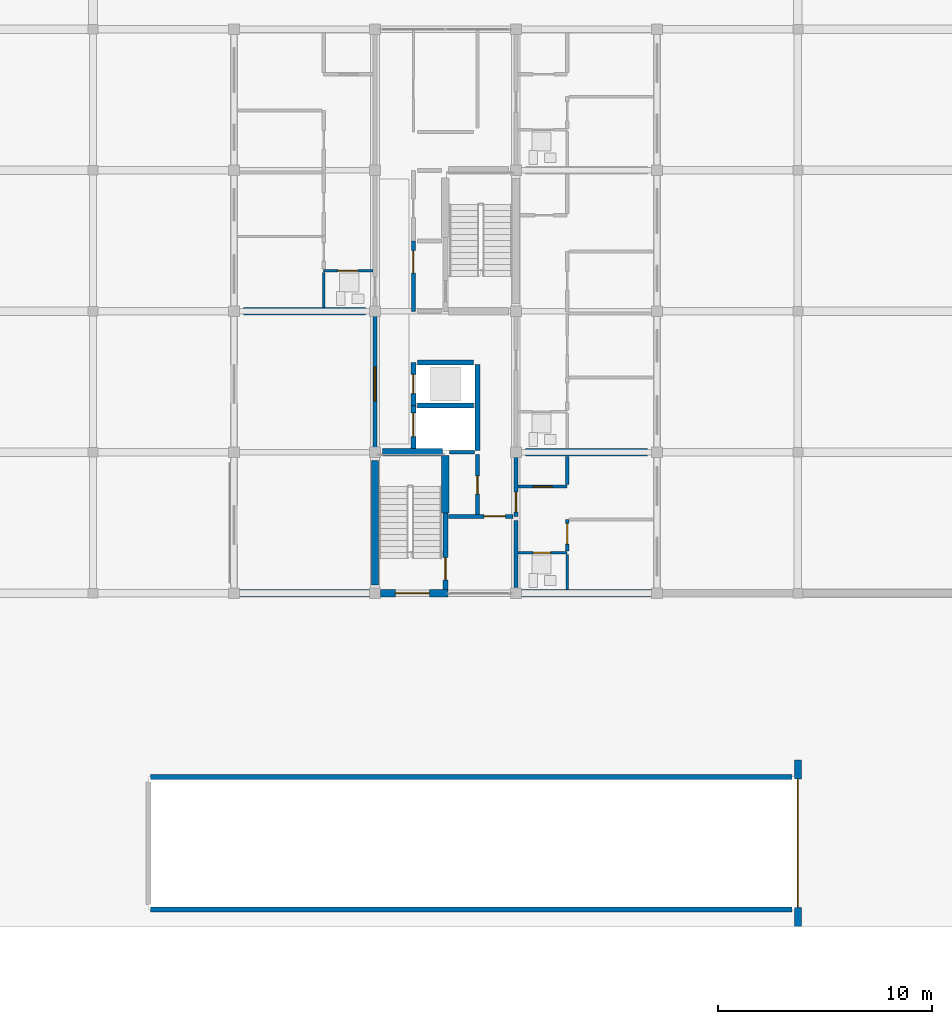
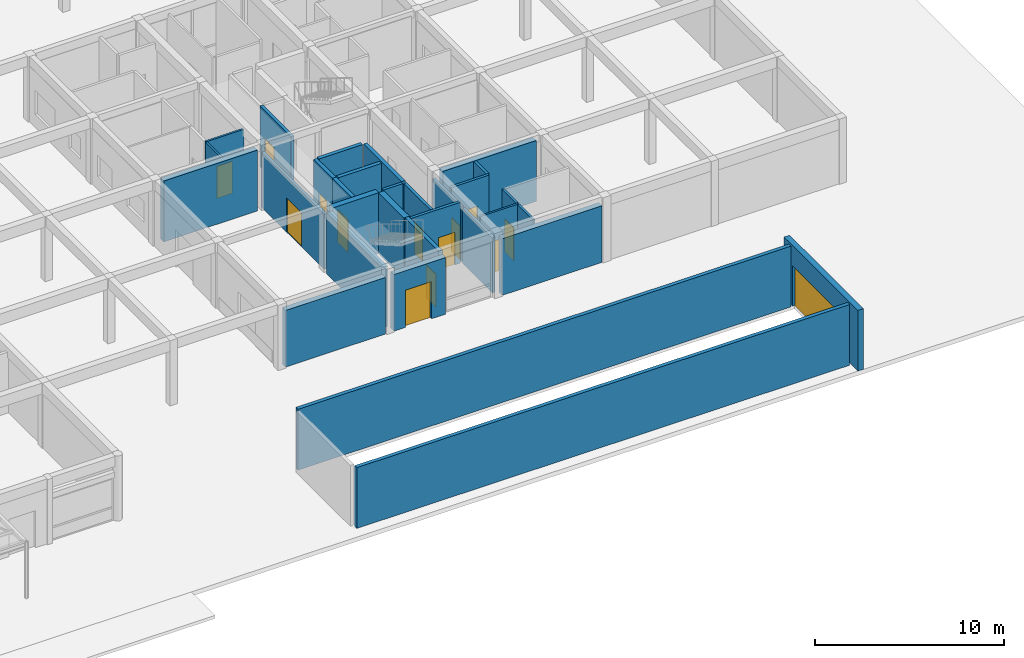
# One storey, part 58 of 75: 31 walls, 14 doors, 14 openings.
"""IFC4 building model written with IfcOpenShell, lengths in metres."""

from ifc_helpers import new_model, si_unit, direction, frame, frame_2d, origin, place, context, subcontext, project, spatial, rectangle, extrude, material, layer, layer_set, type_object, element, fill, save


model = new_model("IFC4")

# Units and contexts
model_context = context("Model", 3, precision=1e-05, world=origin(), true_north=direction((0.0, 1.0)))
body_context = subcontext(model_context, "Body", "Model", "MODEL_VIEW")
ifc_project = project(units=[si_unit("LENGTHUNIT", "METRE"), si_unit("AREAUNIT", "SQUARE_METRE"), si_unit("VOLUMEUNIT", "CUBIC_METRE"), si_unit("PLANEANGLEUNIT", "RADIAN"), si_unit("MASSUNIT", "GRAM", prefix="KILO")], contexts=[model_context])

# Site, building, storey
site_placement = place(None, origin())
site = spatial("IfcSite", under=ifc_project, at=site_placement, CompositionType="ELEMENT")
building_placement = place(site_placement, origin())
building = spatial("IfcBuilding", under=site, at=building_placement, Name="Kernevlak Ridge Housing Community", CompositionType="ELEMENT")
storey_placement = place(building_placement, origin())
storey = spatial("IfcBuildingStorey", under=building, at=storey_placement, Name="L00", CompositionType="ELEMENT", Elevation=0.0)

# Walls
ifc_material_1 = material(Name="Concrete block masonry M10", Category="masonry")
ifc_layer_1 = layer(ifc_material_1, 0.340087890625, Name="Concrete block masonry M10")
ifc_layer_set_1 = layer_set([ifc_layer_1], Name="Concrete block masonry M10")
wall_type_1 = type_object("IfcWallType", Name="EW-04", PredefinedType="STANDARD", material=ifc_layer_set_1)
for number, where, z_axis, x_axis, name in (
    (1, (126.25, 15.60009765625, 0.0), (0.0, 0.0, 1.0), (1.0, 0.0, 0.0), "Exterior wall EW-04 L00 542"),
    (2, (139.449951171875, 15.60009765625, 0.0), (0.0, 0.0, 1.0), (1.0, 0.0, 0.0), "Exterior wall EW-04 L00 543"),
):
    element("IfcWall", number, at=place(storey_placement, frame(where, z_axis=z_axis, x_axis=x_axis)), inside=storey, type_object=wall_type_1, Name=name, PredefinedType="STANDARD", context=body_context, shape_type="SweptSolid", body=[
        extrude(rectangle(XDim=6.10009765625, YDim=0.340087890625, at=frame_2d((3.050048828125, 0.0))), origin(), (0.0, 0.0, 1.0), 3.64990234375),
    ])

# Wall, opening, door
wall_1_placement = place(storey_placement, frame((152.39990234375, 0.0, 0.0), z_axis=(0.0, 0.0, 1.0), x_axis=(0.0, 1.0, 0.0)))
wall_1 = element("IfcWall", 3, at=wall_1_placement, inside=storey, type_object=wall_type_1, Name="Exterior wall EW-04 L00 911", PredefinedType="STANDARD", context=body_context, shape_type="SweptSolid", body=[
    extrude(rectangle(XDim=7.800048828125, YDim=0.340087890625, at=frame_2d((3.89990234375, 0.0))), origin(), (0.0, 0.0, 1.0), 3.919921875),
])
opening_1_placement = place(wall_1_placement, frame((0.89990234375, 0.0, 0.0)))
opening_1 = element("IfcOpeningElement", 4, at=opening_1_placement, cuts=wall_1, Name="Opening VG-1", PredefinedType="OPENING", context=body_context, shape_type="SweptSolid", body=[
    extrude(rectangle(XDim=6.0, YDim=2.60009765625, at=frame_2d((3.0, 1.300048828125))), frame((0.0, 0.179931640625, 0.0), z_axis=(0.0, -1.0, 0.0), x_axis=(1.0, 0.0, 0.0)), (0.0, 0.0, 1.0), 0.360107421875),
])
ifc_material_2 = material(Name="Galvanised sheet steel", Category="steel")
door_type_1 = type_object("IfcDoorType", Name="DT-VG1", OperationType="ROLLINGUP", PredefinedType="DOOR", material=ifc_material_2)
door_1_placement = place(opening_1_placement, origin())
door_1 = element("IfcDoor", 5, at=door_1_placement, inside=storey, type_object=door_type_1, Name="Car park vehicle shutter gate VG-1", OperationType="ROLLINGUP", OverallHeight=2.60009765625, OverallWidth=6.0, PredefinedType="DOOR", context=body_context, shape_type="SweptSolid", body=[
    extrude(rectangle(XDim=6.0, YDim=2.60009765625, at=frame_2d((3.0, 1.300048828125))), frame((0.0, 0.02490234375, 0.0), z_axis=(0.0, -1.0, 0.0), x_axis=(1.0, 0.0, 0.0)), (0.0, 0.0, 1.0), 0.050048828125),
])
fill(opening_1, door_1)

wall_2_placement = place(storey_placement, frame((136.010009765625, 15.60009765625, 0.0), z_axis=(0.0, 0.0, 1.0), x_axis=(-1.0, 0.0, 0.0)))
wall_2 = element("IfcWall", 6, at=wall_2_placement, inside=storey, type_object=wall_type_1, Name="Exterior wall EW-04 L00 931", PredefinedType="STANDARD", context=body_context, shape_type="SweptSolid", body=[
    extrude(rectangle(XDim=3.159912109375, YDim=0.340087890625, at=frame_2d((1.580078125, 0.0))), origin(), (0.0, 0.0, 1.0), 3.64990234375),
])
opening_2_placement = place(wall_2_placement, frame((0.860107421875, 0.0, 0.0)))
opening_2 = element("IfcOpeningElement", 7, at=opening_2_placement, cuts=wall_2, Name="Opening E830", PredefinedType="OPENING", context=body_context, shape_type="SweptSolid", body=[
    extrude(rectangle(XDim=1.60009765625, YDim=2.39990234375, at=frame_2d((0.800048828125, 1.199951171875))), frame((0.0, 0.179931640625, 0.0), z_axis=(0.0, -1.0, 0.0), x_axis=(1.0, 0.0, 0.0)), (0.0, 0.0, 1.0), 0.360107421875),
])
ifc_material_3 = material(Name="Aluminium EN AW-6060 and laminated safety glass", Category="aluminium")
door_type_2 = type_object("IfcDoorType", Name="DT-13", OperationType="DOUBLE_DOOR_SINGLE_SWING", PredefinedType="DOOR", material=ifc_material_3)
door_2_placement = place(opening_2_placement, origin())
door_2 = element("IfcDoor", 8, at=door_2_placement, inside=storey, type_object=door_type_2, Name="Block C Stair 1 exit discharge door E830", OperationType="DOUBLE_DOOR_SINGLE_SWING", OverallHeight=2.39990234375, OverallWidth=1.60009765625, PredefinedType="DOOR", context=body_context, shape_type="SweptSolid", body=[
    extrude(rectangle(XDim=1.60009765625, YDim=2.39990234375, at=frame_2d((0.800048828125, 1.199951171875))), frame((0.0, 0.02490234375, 0.0), z_axis=(0.0, -1.0, 0.0), x_axis=(1.0, 0.0, 0.0)), (0.0, 0.0, 1.0), 0.050048828125),
])
fill(opening_2, door_2)

ifc_material_4 = material(Name="Concrete C35/45", Category="concrete")
ifc_layer_2 = layer(ifc_material_4, 0.22509765625, Name="Concrete C35/45")
ifc_layer_set_2 = layer_set([ifc_layer_2], Name="Concrete C35/45")
wall_type_2 = type_object("IfcWallType", Name="PW-01", PredefinedType="STANDARD", material=ifc_layer_set_2)
wall_3_placement = place(storey_placement, frame((135.89990234375, 15.780029296875, 0.0), z_axis=(0.0, 0.0, 1.0), x_axis=(0.0, 1.0, 0.0)))
wall_3 = element("IfcWall", 9, at=wall_3_placement, inside=storey, type_object=wall_type_2, Name="Interior wall PW-01 WAL-INT-L00-2105", PredefinedType="STANDARD", context=body_context, shape_type="SweptSolid", body=[
    extrude(rectangle(XDim=3.570068359375, YDim=0.22509765625, at=frame_2d((1.78515625, 0.0))), origin(), (0.0, 0.0, 1.0), 3.919921875),
])
opening_3_placement = place(wall_3_placement, frame((0.449951171875, 0.0, 0.0)))
opening_3 = element("IfcOpeningElement", 10, at=opening_3_placement, cuts=wall_3, Name="Opening E067", PredefinedType="OPENING", context=body_context, shape_type="SweptSolid", body=[
    extrude(rectangle(XDim=1.0400390625, YDim=2.1201171875, at=frame_2d((0.52001953125, 1.06005859375))), frame((0.0, 0.12255859375, 0.0), z_axis=(0.0, -1.0, 0.0), x_axis=(1.0, 0.0, 0.0)), (0.0, 0.0, 1.0), 0.2451171875),
])
ifc_material_5 = material(Name="Fire-rated sheet steel leaf", Category="steel")
door_type_3 = type_object("IfcDoorType", Name="DT-16", OperationType="NOTDEFINED", PredefinedType="DOOR", material=ifc_material_5)
door_3_placement = place(opening_3_placement, origin())
door_3 = element("IfcDoor", 11, at=door_3_placement, inside=storey, type_object=door_type_3, Name="Block C Stair 1 fire door E067", OperationType="SINGLE_SWING_RIGHT", OverallHeight=2.1201171875, OverallWidth=1.0400390625, PredefinedType="DOOR", context=body_context, shape_type="SweptSolid", body=[
    extrude(rectangle(XDim=1.0400390625, YDim=2.1201171875, at=frame_2d((0.52001953125, 1.06005859375))), frame((0.0, 0.02490234375, 0.0), z_axis=(0.0, -1.0, 0.0), x_axis=(1.0, 0.0, 0.0)), (0.0, 0.0, 1.0), 0.050048828125),
])
fill(opening_3, door_3)

wall_4_placement = place(storey_placement, frame((134.39990234375, 22.385009765625, 0.0), z_axis=(0.0, 0.0, 1.0), x_axis=(0.0, 1.0, 0.0)))
wall_4 = element("IfcWall", 12, at=wall_4_placement, inside=storey, type_object=wall_type_2, Name="Interior wall PW-01 WAL-INT-L00-2109", PredefinedType="STANDARD", context=body_context, shape_type="SweptSolid", body=[
    extrude(rectangle(XDim=2.014892578125, YDim=0.22509765625, at=frame_2d((1.00732421875, 0.0))), origin(), (0.0, 0.0, 1.0), 3.919921875),
])
opening_4_placement = place(wall_4_placement, frame((0.550048828125, 0.0, 0.0)))
opening_4 = element("IfcOpeningElement", 13, at=opening_4_placement, cuts=wall_4, Name="Opening LD55", PredefinedType="OPENING", context=body_context, shape_type="SweptSolid", body=[
    extrude(rectangle(XDim=1.10009765625, YDim=2.10009765625, at=frame_2d((0.550048828125, 1.050048828125))), frame((0.0, 0.12255859375, 0.0), z_axis=(0.0, -1.0, 0.0), x_axis=(1.0, 0.0, 0.0)), (0.0, 0.0, 1.0), 0.2451171875),
])
ifc_material_6 = material(Name="Stainless steel EN 1.4401", Category="steel")
door_type_4 = type_object("IfcDoorType", Name="DT-LD1", OperationType="DOUBLE_DOOR_SLIDING", PredefinedType="DOOR", material=ifc_material_6)
door_4_placement = place(opening_4_placement, origin())
door_4 = element("IfcDoor", 14, at=door_4_placement, inside=storey, type_object=door_type_4, Name="Lift LF-C1 landing door LD55", OperationType="DOUBLE_DOOR_SLIDING", OverallHeight=2.10009765625, OverallWidth=1.10009765625, PredefinedType="DOOR", context=body_context, shape_type="SweptSolid", body=[
    extrude(rectangle(XDim=1.10009765625, YDim=2.10009765625, at=frame_2d((0.550048828125, 1.050048828125))), frame((0.0, 0.02490234375, 0.0), z_axis=(0.0, -1.0, 0.0), x_axis=(1.0, 0.0, 0.0)), (0.0, 0.0, 1.0), 0.050048828125),
])
fill(opening_4, door_4)

wall_5_placement = place(storey_placement, frame((134.39990234375, 24.39990234375, 0.0), z_axis=(0.0, 0.0, 1.0), x_axis=(0.0, 1.0, 0.0)))
wall_5 = element("IfcWall", 15, at=wall_5_placement, inside=storey, type_object=wall_type_2, Name="Interior wall PW-01 WAL-INT-L00-2110", PredefinedType="STANDARD", context=body_context, shape_type="SweptSolid", body=[
    extrude(rectangle(XDim=2.0, YDim=0.22509765625, at=frame_2d((1.0, 0.0))), origin(), (0.0, 0.0, 1.0), 3.919921875),
])
opening_5_placement = place(wall_5_placement, frame((0.550048828125, 0.0, 0.0)))
opening_5 = element("IfcOpeningElement", 16, at=opening_5_placement, cuts=wall_5, Name="Opening LD56", PredefinedType="OPENING", context=body_context, shape_type="SweptSolid", body=[
    extrude(rectangle(XDim=0.89990234375, YDim=2.10009765625, at=frame_2d((0.449951171875, 1.050048828125))), frame((0.0, 0.12255859375, 0.0), z_axis=(0.0, -1.0, 0.0), x_axis=(1.0, 0.0, 0.0)), (0.0, 0.0, 1.0), 0.2451171875),
])
door_type_5 = type_object("IfcDoorType", Name="DT-LD2", OperationType="DOUBLE_DOOR_SLIDING", PredefinedType="DOOR", material=ifc_material_6)
door_5_placement = place(opening_5_placement, origin())
door_5 = element("IfcDoor", 17, at=door_5_placement, inside=storey, type_object=door_type_5, Name="Lift LF-C2 landing door LD56", OperationType="DOUBLE_DOOR_SLIDING", OverallHeight=2.10009765625, OverallWidth=0.89990234375, PredefinedType="DOOR", context=body_context, shape_type="SweptSolid", body=[
    extrude(rectangle(XDim=0.89990234375, YDim=2.10009765625, at=frame_2d((0.449951171875, 1.050048828125))), frame((0.0, 0.02490234375, 0.0), z_axis=(0.0, -1.0, 0.0), x_axis=(1.0, 0.0, 0.0)), (0.0, 0.0, 1.0), 0.050048828125),
])
fill(opening_5, door_5)

# Walls
wall_6_placement = place(storey_placement, frame((137.39990234375, 22.297607421875, 0.0), z_axis=(0.0, 0.0, 1.0), x_axis=(0.0, 1.0, 0.0)))
element("IfcWall", 18, at=wall_6_placement, inside=storey, type_object=wall_type_2, Name="Interior wall PW-01 WAL-INT-L00-2111", PredefinedType="STANDARD", context=body_context, shape_type="SweptSolid", body=[
    extrude(rectangle(XDim=4.0224609375, YDim=0.22509765625, at=frame_2d((2.01123046875, 0.0))), origin(), (0.0, 0.0, 1.0), 3.919921875),
])
for number, where, z_axis, x_axis, name in (
    (19, (134.580078125, 24.39990234375, 0.0), (0.0, 0.0, 1.0), (1.0, 0.0, 0.0), "Interior wall PW-01 WAL-INT-L00-2113"),
    (20, (134.580078125, 26.39990234375, 0.0), (0.0, 0.0, 1.0), (1.0, 0.0, 0.0), "Interior wall PW-01 WAL-INT-L00-2114"),
):
    element("IfcWall", number, at=place(storey_placement, frame(where, z_axis=z_axis, x_axis=x_axis)), inside=storey, type_object=wall_type_2, Name=name, PredefinedType="STANDARD", context=body_context, shape_type="SweptSolid", body=[
        extrude(rectangle(XDim=2.639892578125, YDim=0.22509765625, at=frame_2d((1.31982421875, 0.0))), origin(), (0.0, 0.0, 1.0), 3.919921875),
    ])
for number, where, z_axis, x_axis, name in (
    (21, (122.080078125, 0.800048828125, 0.0), (0.0, 0.0, 1.0), (1.0, 0.0, 0.0), "Interior wall PW-01 WAL-INT-L00-3540"),
    (22, (122.080078125, 7.0, 0.0), (0.0, 0.0, 1.0), (1.0, 0.0, 0.0), "Interior wall PW-01 WAL-INT-L00-3541"),
):
    element("IfcWall", number, at=place(storey_placement, frame(where, z_axis=z_axis, x_axis=x_axis)), inside=storey, type_object=wall_type_2, Name=name, PredefinedType="STANDARD", context=body_context, shape_type="SweptSolid", body=[
        extrude(rectangle(XDim=30.0400390625, YDim=0.22509765625, at=frame_2d((15.02001953125, 0.0))), origin(), (0.0, 0.0, 1.0), 3.919921875),
    ])

# Wall, opening, door
ifc_layer_3 = layer(ifc_material_1, 0.175048828125, Name="Concrete block masonry M10")
ifc_layer_set_3 = layer_set([ifc_layer_3], Name="Concrete block masonry M10")
wall_type_3 = type_object("IfcWallType", Name="PW-02", PredefinedType="PARTITIONING", material=ifc_layer_set_3)
wall_7_placement = place(storey_placement, frame((136.050048828125, 19.199951171875, 0.0), z_axis=(0.0, 0.0, 1.0), x_axis=(1.0, 0.0, 0.0)))
wall_7 = element("IfcWall", 23, at=wall_7_placement, inside=storey, type_object=wall_type_3, Name="Interior wall PW-02 WAL-INT-L00-2106", PredefinedType="PARTITIONING", context=body_context, shape_type="SweptSolid", body=[
    extrude(rectangle(XDim=3.0, YDim=0.175048828125, at=frame_2d((1.5, 0.0))), origin(), (0.0, 0.0, 1.0), 3.919921875),
])
opening_6_placement = place(wall_7_placement, frame((1.64990234375, 0.0, 0.0)))
opening_6 = element("IfcOpeningElement", 24, at=opening_6_placement, cuts=wall_7, Name="Opening E068", PredefinedType="OPENING", context=body_context, shape_type="SweptSolid", body=[
    extrude(rectangle(XDim=1.0, YDim=2.10009765625, at=frame_2d((0.5, 1.050048828125))), frame((0.0, 0.097412109375, 0.0), z_axis=(0.0, -1.0, 0.0), x_axis=(1.0, 0.0, 0.0)), (0.0, 0.0, 1.0), 0.195068359375),
])
door_type_6 = type_object("IfcDoorType", Name="DT-05", OperationType="NOTDEFINED", PredefinedType="DOOR", material=ifc_material_5)
door_6_placement = place(opening_6_placement, origin())
door_6 = element("IfcDoor", 25, at=door_6_placement, inside=storey, type_object=door_type_6, Name="Block C Firefighting lobby 1 door E068", OperationType="SINGLE_SWING_LEFT", OverallHeight=2.10009765625, OverallWidth=1.0, PredefinedType="DOOR", context=body_context, shape_type="SweptSolid", body=[
    extrude(rectangle(XDim=1.0, YDim=2.10009765625, at=frame_2d((0.5, 1.050048828125))), frame((0.0, 0.02490234375, 0.0), z_axis=(0.0, -1.0, 0.0), x_axis=(1.0, 0.0, 0.0)), (0.0, 0.0, 1.0), 0.050048828125),
])
fill(opening_6, door_6)

wall_8_placement = place(storey_placement, frame((137.39990234375, 19.300048828125, 0.0), z_axis=(0.0, 0.0, 1.0), x_axis=(0.0, 1.0, 0.0)))
wall_8 = element("IfcWall", 26, at=wall_8_placement, inside=storey, type_object=wall_type_3, Name="Interior wall PW-02 WAL-INT-L00-2107", PredefinedType="PARTITIONING", context=body_context, shape_type="SweptSolid", body=[
    extrude(rectangle(XDim=2.800048828125, YDim=0.175048828125, at=frame_2d((1.39990234375, 0.0))), origin(), (0.0, 0.0, 1.0), 3.919921875),
])
opening_7_placement = place(wall_8_placement, frame((0.949951171875, 0.0, 0.0)))
opening_7 = element("IfcOpeningElement", 27, at=opening_7_placement, cuts=wall_8, Name="Opening E069", PredefinedType="OPENING", context=body_context, shape_type="SweptSolid", body=[
    extrude(rectangle(XDim=0.85009765625, YDim=2.0, at=frame_2d((0.425048828125, 1.0))), frame((0.0, 0.097412109375, 0.0), z_axis=(0.0, -1.0, 0.0), x_axis=(1.0, 0.0, 0.0)), (0.0, 0.0, 1.0), 0.195068359375),
])
door_type_7 = type_object("IfcDoorType", Name="DT-07", OperationType="NOTDEFINED", PredefinedType="DOOR", material=ifc_material_5)
door_7_placement = place(opening_7_placement, origin())
door_7 = element("IfcDoor", 28, at=door_7_placement, inside=storey, type_object=door_type_7, Name="Block C Riser shaft door E069", OperationType="SINGLE_SWING_RIGHT", OverallHeight=2.0, OverallWidth=0.85009765625, PredefinedType="DOOR", context=body_context, shape_type="SweptSolid", body=[
    extrude(rectangle(XDim=0.85009765625, YDim=2.0, at=frame_2d((0.425048828125, 1.0))), frame((0.0, 0.02490234375, 0.0), z_axis=(0.0, -1.0, 0.0), x_axis=(1.0, 0.0, 0.0)), (0.0, 0.0, 1.0), 0.050048828125),
])
fill(opening_7, door_7)

# Wall
wall_9_placement = place(storey_placement, frame((136.080078125, 22.199951171875, 0.0), z_axis=(0.0, 0.0, 1.0), x_axis=(1.0, 0.0, 0.0)))
element("IfcWall", 29, at=wall_9_placement, inside=storey, type_object=wall_type_3, Name="Interior wall PW-02 WAL-INT-L00-2108", PredefinedType="PARTITIONING", context=body_context, shape_type="SweptSolid", body=[
    extrude(rectangle(XDim=1.18994140625, YDim=0.175048828125, at=frame_2d((0.594970703125, 0.0))), origin(), (0.0, 0.0, 1.0), 3.919921875),
])

# Wall, opening, door
wall_10_placement = place(storey_placement, frame((134.39990234375, 28.800048828125, 0.0), z_axis=(0.0, 0.0, 1.0), x_axis=(0.0, 1.0, 0.0)))
wall_10 = element("IfcWall", 30, at=wall_10_placement, inside=storey, type_object=wall_type_3, Name="Interior wall PW-02 WAL-INT-L00-2116", PredefinedType="PARTITIONING", context=body_context, shape_type="SweptSolid", body=[
    extrude(rectangle(XDim=3.300048828125, YDim=0.175048828125, at=frame_2d((1.64990234375, 0.0))), origin(), (0.0, 0.0, 1.0), 3.919921875),
])
opening_8_placement = place(wall_10_placement, frame((1.800048828125, 0.0, 0.0)))
opening_8 = element("IfcOpeningElement", 31, at=opening_8_placement, cuts=wall_10, Name="Opening E071", PredefinedType="OPENING", context=body_context, shape_type="SweptSolid", body=[
    extrude(rectangle(XDim=1.0400390625, YDim=2.1201171875, at=frame_2d((0.52001953125, 1.06005859375))), frame((0.0, 0.097412109375, 0.0), z_axis=(0.0, -1.0, 0.0), x_axis=(1.0, 0.0, 0.0)), (0.0, 0.0, 1.0), 0.195068359375),
])
door_8_placement = place(opening_8_placement, origin())
door_8 = element("IfcDoor", 32, at=door_8_placement, inside=storey, type_object=door_type_3, Name="Block C Firefighting lobby 2 door E071", OperationType="SINGLE_SWING_RIGHT", OverallHeight=2.1201171875, OverallWidth=1.0400390625, PredefinedType="DOOR", context=body_context, shape_type="SweptSolid", body=[
    extrude(rectangle(XDim=1.0400390625, YDim=2.1201171875, at=frame_2d((0.52001953125, 1.06005859375))), frame((0.0, 0.02490234375, 0.0), z_axis=(0.0, -1.0, 0.0), x_axis=(1.0, 0.0, 0.0)), (0.0, 0.0, 1.0), 0.050048828125),
])
fill(opening_8, door_8)

wall_11_placement = place(storey_placement, frame((132.60009765625, 22.199951171875, 0.0), z_axis=(0.0, 0.0, 1.0), x_axis=(0.0, 1.0, 0.0)))
wall_11 = element("IfcWall", 33, at=wall_11_placement, inside=storey, type_object=wall_type_3, Name="Interior wall PW-02 WAL-INT-L00-2124", PredefinedType="PARTITIONING", context=body_context, shape_type="SweptSolid", body=[
    extrude(rectangle(XDim=6.60009765625, YDim=0.175048828125, at=frame_2d((3.300048828125, 0.0))), origin(), (0.0, 0.0, 1.0), 3.550048828125),
])
opening_9_placement = place(wall_11_placement, frame((2.39990234375, 0.0, 0.0)))
opening_9 = element("IfcOpeningElement", 34, at=opening_9_placement, cuts=wall_11, Name="Opening E074", PredefinedType="OPENING", context=body_context, shape_type="SweptSolid", body=[
    extrude(rectangle(XDim=1.60009765625, YDim=2.199951171875, at=frame_2d((0.800048828125, 1.10009765625))), frame((0.0, 0.097412109375, 0.0), z_axis=(0.0, -1.0, 0.0), x_axis=(1.0, 0.0, 0.0)), (0.0, 0.0, 1.0), 0.195068359375),
])
ifc_material_7 = material(Name="Fire-rated sheet steel and fire-resistant glass", Category="steel")
door_type_8 = type_object("IfcDoorType", Name="DT-09", OperationType="DOUBLE_DOOR_SINGLE_SWING", PredefinedType="DOOR", material=ifc_material_7)
door_9_placement = place(opening_9_placement, origin())
door_9 = element("IfcDoor", 35, at=door_9_placement, inside=storey, type_object=door_type_8, Name="Block C Ground lobby inner fire door E074", OperationType="DOUBLE_DOOR_SINGLE_SWING", OverallHeight=2.199951171875, OverallWidth=1.60009765625, PredefinedType="DOOR", context=body_context, shape_type="SweptSolid", body=[
    extrude(rectangle(XDim=1.60009765625, YDim=2.199951171875, at=frame_2d((0.800048828125, 1.10009765625))), frame((0.0, 0.02490234375, 0.0), z_axis=(0.0, -1.0, 0.0), x_axis=(1.0, 0.0, 0.0)), (0.0, 0.0, 1.0), 0.050048828125),
])
fill(opening_9, door_9)

# Wall
wall_12_placement = place(storey_placement, frame((139.199951171875, 15.8798828125, 0.0), z_axis=(0.0, 0.0, 1.0), x_axis=(0.0, 1.0, 0.0)))
element("IfcWall", 36, at=wall_12_placement, inside=storey, type_object=wall_type_3, Name="Interior wall PW-02 WAL-INT-L00-2136", PredefinedType="PARTITIONING", context=body_context, shape_type="SweptSolid", body=[
    extrude(rectangle(XDim=3.14013671875, YDim=0.175048828125, at=frame_2d((1.570068359375, 0.0))), origin(), (0.0, 0.0, 1.0), 3.550048828125),
])

# Wall, opening, door
wall_13_placement = place(storey_placement, frame((139.199951171875, 19.199951171875, 0.0), z_axis=(0.0, 0.0, 1.0), x_axis=(0.0, 1.0, 0.0)))
wall_13 = element("IfcWall", 37, at=wall_13_placement, inside=storey, type_object=wall_type_3, Name="Interior wall PW-02 WAL-INT-L00-2137", PredefinedType="PARTITIONING", context=body_context, shape_type="SweptSolid", body=[
    extrude(rectangle(XDim=3.0, YDim=0.175048828125, at=frame_2d((1.5, 0.0))), origin(), (0.0, 0.0, 1.0), 3.550048828125),
])
opening_10_placement = place(wall_13_placement, frame((0.219970703125, 0.0, 0.0)))
opening_10 = element("IfcOpeningElement", 38, at=opening_10_placement, cuts=wall_13, Name="Opening E083", PredefinedType="OPENING", context=body_context, shape_type="SweptSolid", body=[
    extrude(rectangle(XDim=0.919921875, YDim=2.139892578125, at=frame_2d((0.4599609375, 1.06982421875))), frame((0.0, 0.097412109375, 0.0), z_axis=(0.0, -1.0, 0.0), x_axis=(1.0, 0.0, 0.0)), (0.0, 0.0, 1.0), 0.195068359375),
])
ifc_material_8 = material(Name="Hardwood timber solid-core fire leaf", Category="wood")
door_type_9 = type_object("IfcDoorType", Name="DT-20", OperationType="NOTDEFINED", PredefinedType="DOOR", material=ifc_material_8)
door_10_placement = place(opening_10_placement, origin())
door_10 = element("IfcDoor", 39, at=door_10_placement, inside=storey, type_object=door_type_9, Name="Flat C0021 entrance fire door E083", OperationType="SINGLE_SWING_RIGHT", OverallHeight=2.139892578125, OverallWidth=0.919921875, PredefinedType="DOOR", context=body_context, shape_type="SweptSolid", body=[
    extrude(rectangle(XDim=0.919921875, YDim=2.139892578125, at=frame_2d((0.4599609375, 1.06982421875))), frame((0.0, 0.02490234375, 0.0), z_axis=(0.0, -1.0, 0.0), x_axis=(1.0, 0.0, 0.0)), (0.0, 0.0, 1.0), 0.050048828125),
])
fill(opening_10, door_10)

ifc_layer_4 = layer(ifc_material_1, 0.14501953125, Name="Concrete block masonry M10")
ifc_layer_set_4 = layer_set([ifc_layer_4], Name="Concrete block masonry M10")
wall_type_4 = type_object("IfcWallType", Name="PW-03", PredefinedType="PARTITIONING", material=ifc_layer_set_4)
wall_14_placement = place(storey_placement, frame((141.60009765625, 17.572509765625, 0.0), z_axis=(0.0, 0.0, 1.0), x_axis=(0.0, 1.0, 0.0)))
wall_14 = element("IfcWall", 40, at=wall_14_placement, inside=storey, type_object=wall_type_4, Name="Interior wall PW-03 WAL-INT-L00-2142", PredefinedType="PARTITIONING", context=body_context, shape_type="SweptSolid", body=[
    extrude(rectangle(XDim=1.4775390625, YDim=0.14501953125, at=frame_2d((0.73876953125, 0.0))), origin(), (0.0, 0.0, 1.0), 3.919921875),
])
opening_11_placement = place(wall_14_placement, frame((0.327392578125, 0.0, 0.0)))
opening_11 = element("IfcOpeningElement", 41, at=opening_11_placement, cuts=wall_14, Name="Opening E086", PredefinedType="OPENING", context=body_context, shape_type="SweptSolid", body=[
    extrude(rectangle(XDim=0.97998046875, YDim=2.1201171875, at=frame_2d((0.489990234375, 1.06005859375))), frame((0.0, 0.08251953125, 0.0), z_axis=(0.0, -1.0, 0.0), x_axis=(1.0, 0.0, 0.0)), (0.0, 0.0, 1.0), 0.1650390625),
])
ifc_material_9 = material(Name="Hardwood timber leaf", Category="wood")
door_type_10 = type_object("IfcDoorType", Name="DT-24", OperationType="NOTDEFINED", PredefinedType="DOOR", material=ifc_material_9)
door_11_placement = place(opening_11_placement, origin())
door_11 = element("IfcDoor", 42, at=door_11_placement, inside=storey, type_object=door_type_10, Name="Flat C0021 bedroom door E086", OperationType="SINGLE_SWING_LEFT", OverallHeight=2.1201171875, OverallWidth=0.97998046875, PredefinedType="DOOR", context=body_context, shape_type="SweptSolid", body=[
    extrude(rectangle(XDim=0.97998046875, YDim=2.1201171875, at=frame_2d((0.489990234375, 1.06005859375))), frame((0.0, 0.02490234375, 0.0), z_axis=(0.0, -1.0, 0.0), x_axis=(1.0, 0.0, 0.0)), (0.0, 0.0, 1.0), 0.050048828125),
])
fill(opening_11, door_11)

ifc_material_10 = material(Name="Gypsum plasterboard EN 520", Category="gypsum")
ifc_layer_5 = layer(ifc_material_10, 0.125, Name="Gypsum plasterboard EN 520")
ifc_layer_set_5 = layer_set([ifc_layer_5], Name="Gypsum plasterboard EN 520")
wall_type_5 = type_object("IfcWallType", Name="PW-04", PredefinedType="PARTITIONING", material=ifc_layer_set_5)
wall_15_placement = place(storey_placement, frame((132.50244140625, 30.699951171875, 0.0), z_axis=(0.0, 0.0, 1.0), x_axis=(-1.0, 0.0, 0.0)))
wall_15 = element("IfcWall", 43, at=wall_15_placement, inside=storey, type_object=wall_type_5, Name="Interior wall PW-04 WAL-INT-L00-2126", PredefinedType="PARTITIONING", context=body_context, shape_type="SweptSolid", body=[
    extrude(rectangle(XDim=2.302490234375, YDim=0.125, at=frame_2d((1.1513671875, 0.0))), origin(), (0.0, 0.0, 1.0), 3.919921875),
])
opening_12_placement = place(wall_15_placement, frame((0.699951171875, 0.0, 0.0)))
opening_12 = element("IfcOpeningElement", 44, at=opening_12_placement, cuts=wall_15, Name="Opening E078", PredefinedType="OPENING", context=body_context, shape_type="SweptSolid", body=[
    extrude(rectangle(XDim=0.93994140625, YDim=2.080078125, at=frame_2d((0.469970703125, 1.0400390625))), frame((0.0, 0.072509765625, 0.0), z_axis=(0.0, -1.0, 0.0), x_axis=(1.0, 0.0, 0.0)), (0.0, 0.0, 1.0), 0.14501953125),
])
ifc_material_11 = material(Name="Hardwood timber moisture-resistant leaf", Category="wood")
door_type_11 = type_object("IfcDoorType", Name="DT-23", OperationType="NOTDEFINED", PredefinedType="DOOR", material=ifc_material_11)
door_12_placement = place(opening_12_placement, origin())
door_12 = element("IfcDoor", 45, at=door_12_placement, inside=storey, type_object=door_type_11, Name="Flat C0012 bathroom door E078", OperationType="SINGLE_SWING_LEFT", OverallHeight=2.080078125, OverallWidth=0.93994140625, PredefinedType="DOOR", context=body_context, shape_type="SweptSolid", body=[
    extrude(rectangle(XDim=0.93994140625, YDim=2.080078125, at=frame_2d((0.469970703125, 1.0400390625))), frame((0.0, 0.02490234375, 0.0), z_axis=(0.0, -1.0, 0.0), x_axis=(1.0, 0.0, 0.0)), (0.0, 0.0, 1.0), 0.050048828125),
])
fill(opening_12, door_12)

# Wall
wall_16_placement = place(storey_placement, frame((130.199951171875, 28.985107421875, 0.0), z_axis=(0.0, 0.0, 1.0), x_axis=(0.0, 1.0, 0.0)))
element("IfcWall", 46, at=wall_16_placement, inside=storey, type_object=wall_type_5, Name="Interior wall PW-04 WAL-INT-L00-2127", PredefinedType="PARTITIONING", context=body_context, shape_type="SweptSolid", body=[
    extrude(rectangle(XDim=1.635009765625, YDim=0.125, at=frame_2d((0.8173828125, 0.0))), origin(), (0.0, 0.0, 1.0), 3.919921875),
])

# Wall, opening, door
wall_17_placement = place(storey_placement, frame((139.297607421875, 17.5, 0.0), z_axis=(0.0, 0.0, 1.0), x_axis=(1.0, 0.0, 0.0)))
wall_17 = element("IfcWall", 47, at=wall_17_placement, inside=storey, type_object=wall_type_5, Name="Interior wall PW-04 WAL-INT-L00-2138", PredefinedType="PARTITIONING", context=body_context, shape_type="SweptSolid", body=[
    extrude(rectangle(XDim=2.302490234375, YDim=0.125, at=frame_2d((1.1513671875, 0.0))), origin(), (0.0, 0.0, 1.0), 3.919921875),
])
opening_13_placement = place(wall_17_placement, frame((0.699951171875, 0.0, 0.0)))
opening_13 = element("IfcOpeningElement", 48, at=opening_13_placement, cuts=wall_17, Name="Opening E084", PredefinedType="OPENING", context=body_context, shape_type="SweptSolid", body=[
    extrude(rectangle(XDim=0.820068359375, YDim=2.050048828125, at=frame_2d((0.41015625, 1.02490234375))), frame((0.0, 0.072509765625, 0.0), z_axis=(0.0, -1.0, 0.0), x_axis=(1.0, 0.0, 0.0)), (0.0, 0.0, 1.0), 0.14501953125),
])
door_type_12 = type_object("IfcDoorType", Name="DT-30", OperationType="NOTDEFINED", PredefinedType="DOOR", material=ifc_material_11)
door_13_placement = place(opening_13_placement, origin())
door_13 = element("IfcDoor", 49, at=door_13_placement, inside=storey, type_object=door_type_12, Name="Flat C0021 bathroom door E084", OperationType="SINGLE_SWING_LEFT", OverallHeight=2.050048828125, OverallWidth=0.820068359375, PredefinedType="DOOR", context=body_context, shape_type="SweptSolid", body=[
    extrude(rectangle(XDim=0.820068359375, YDim=2.050048828125, at=frame_2d((0.41015625, 1.02490234375))), frame((0.0, 0.02490234375, 0.0), z_axis=(0.0, -1.0, 0.0), x_axis=(1.0, 0.0, 0.0)), (0.0, 0.0, 1.0), 0.050048828125),
])
fill(opening_13, door_13)

# Wall
wall_18_placement = place(storey_placement, frame((141.60009765625, 15.780029296875, 0.0), z_axis=(0.0, 0.0, 1.0), x_axis=(0.0, 1.0, 0.0)))
element("IfcWall", 50, at=wall_18_placement, inside=storey, type_object=wall_type_5, Name="Interior wall PW-04 WAL-INT-L00-2139", PredefinedType="PARTITIONING", context=body_context, shape_type="SweptSolid", body=[
    extrude(rectangle(XDim=1.639892578125, YDim=0.125, at=frame_2d((0.81982421875, 0.0))), origin(), (0.0, 0.0, 1.0), 3.919921875),
])

# Wall, opening, door
ifc_layer_6 = layer(ifc_material_10, 0.155029296875, Name="Gypsum plasterboard EN 520")
ifc_layer_set_6 = layer_set([ifc_layer_6], Name="Gypsum plasterboard EN 520")
wall_type_6 = type_object("IfcWallType", Name="PW-05", PredefinedType="PARTITIONING", material=ifc_layer_set_6)
wall_19_placement = place(storey_placement, frame((139.297607421875, 20.60009765625, 0.0), z_axis=(0.0, 0.0, 1.0), x_axis=(1.0, 0.0, 0.0)))
wall_19 = element("IfcWall", 51, at=wall_19_placement, inside=storey, type_object=wall_type_6, Name="Interior wall PW-05 WAL-INT-L00-2140", PredefinedType="PARTITIONING", context=body_context, shape_type="SweptSolid", body=[
    extrude(rectangle(XDim=2.302490234375, YDim=0.155029296875, at=frame_2d((1.1513671875, 0.0))), origin(), (0.0, 0.0, 1.0), 3.919921875),
])
opening_14_placement = place(wall_19_placement, frame((0.699951171875, 0.0, 0.0)))
opening_14 = element("IfcOpeningElement", 52, at=opening_14_placement, cuts=wall_19, Name="Opening E085", PredefinedType="OPENING", context=body_context, shape_type="SweptSolid", body=[
    extrude(rectangle(XDim=0.89990234375, YDim=2.159912109375, at=frame_2d((0.449951171875, 1.080078125))), frame((0.0, 0.08740234375, 0.0), z_axis=(0.0, -1.0, 0.0), x_axis=(1.0, 0.0, 0.0)), (0.0, 0.0, 1.0), 0.175048828125),
])
door_type_13 = type_object("IfcDoorType", Name="DT-22", OperationType="NOTDEFINED", PredefinedType="DOOR", material=ifc_material_9)
door_14_placement = place(opening_14_placement, origin())
door_14 = element("IfcDoor", 53, at=door_14_placement, inside=storey, type_object=door_type_13, Name="Flat C0021 kitchen door E085", OperationType="SINGLE_SWING_RIGHT", OverallHeight=2.159912109375, OverallWidth=0.89990234375, PredefinedType="DOOR", context=body_context, shape_type="SweptSolid", body=[
    extrude(rectangle(XDim=0.89990234375, YDim=2.159912109375, at=frame_2d((0.449951171875, 1.080078125))), frame((0.0, 0.02490234375, 0.0), z_axis=(0.0, -1.0, 0.0), x_axis=(1.0, 0.0, 0.0)), (0.0, 0.0, 1.0), 0.050048828125),
])
fill(opening_14, door_14)

# Walls
wall_20_placement = place(storey_placement, frame((141.60009765625, 20.6875, 0.0), z_axis=(0.0, 0.0, 1.0), x_axis=(0.0, 1.0, 0.0)))
element("IfcWall", 54, at=wall_20_placement, inside=storey, type_object=wall_type_6, Name="Interior wall PW-05 WAL-INT-L00-2141", PredefinedType="PARTITIONING", context=body_context, shape_type="SweptSolid", body=[
    extrude(rectangle(XDim=1.327392578125, YDim=0.155029296875, at=frame_2d((0.66357421875, 0.0))), origin(), (0.0, 0.0, 1.0), 3.919921875),
])
ifc_material_12 = material(Name="Concrete C40/50", Category="concrete")
ifc_layer_7 = layer(ifc_material_12, 0.35009765625, Name="Concrete C40/50")
ifc_layer_set_7 = layer_set([ifc_layer_7], Name="Concrete C40/50")
wall_type_7 = type_object("IfcWallType", Name="SW-01", PredefinedType="SHEAR", material=ifc_layer_set_7)
wall_21_placement = place(storey_placement, frame((132.60009765625, 15.97998046875, 0.0), z_axis=(0.0, 0.0, 1.0), x_axis=(0.0, 1.0, 0.0)))
element("IfcWall", 55, at=wall_21_placement, inside=storey, type_object=wall_type_7, Name="Shear wall SW-01 Block C L00 371", PredefinedType="SHEAR", context=body_context, shape_type="SweptSolid", body=[
    extrude(rectangle(XDim=5.840087890625, YDim=0.35009765625, at=frame_2d((2.919921875, 0.0))), origin(), (0.0, 0.0, 1.0), 3.919921875),
])
wall_22_placement = place(storey_placement, frame((135.89990234375, 19.35009765625, 0.0), z_axis=(0.0, 0.0, 1.0), x_axis=(0.0, 1.0, 0.0)))
element("IfcWall", 56, at=wall_22_placement, inside=storey, type_object=wall_type_7, Name="Shear wall SW-01 Block C L00 372", PredefinedType="SHEAR", context=body_context, shape_type="SweptSolid", body=[
    extrude(rectangle(XDim=2.699951171875, YDim=0.35009765625, at=frame_2d((1.35009765625, 0.0))), origin(), (0.0, 0.0, 1.0), 3.919921875),
])
wall_23_placement = place(storey_placement, frame((132.949951171875, 22.199951171875, 0.0), z_axis=(0.0, 0.0, 1.0), x_axis=(1.0, 0.0, 0.0)))
element("IfcWall", 57, at=wall_23_placement, inside=storey, type_object=wall_type_7, Name="Shear wall SW-01 Block C L00 373", PredefinedType="SHEAR", context=body_context, shape_type="SweptSolid", body=[
    extrude(rectangle(XDim=2.800048828125, YDim=0.35009765625, at=frame_2d((1.39990234375, 0.0))), origin(), (0.0, 0.0, 1.0), 3.919921875),
])
wall_24_placement = place(storey_placement, frame((126.449951171875, 28.800048828125, 0.0), z_axis=(0.0, 0.0, 1.0), x_axis=(1.0, 0.0, 0.0)))
element("IfcWall", 58, at=wall_24_placement, inside=storey, type_object=wall_type_7, Name="Shear wall SW-01 Block C L00 378", PredefinedType="SHEAR", context=body_context, shape_type="SweptSolid", body=[
    extrude(rectangle(XDim=5.699951171875, YDim=0.35009765625, at=frame_2d((2.85009765625, 0.0))), origin(), (0.0, 0.0, 1.0), 3.919921875),
])
wall_25_placement = place(storey_placement, frame((139.64990234375, 22.199951171875, 0.0), z_axis=(0.0, 0.0, 1.0), x_axis=(1.0, 0.0, 0.0)))
element("IfcWall", 59, at=wall_25_placement, inside=storey, type_object=wall_type_7, Name="Shear wall SW-01 Block C L00 379", PredefinedType="SHEAR", context=body_context, shape_type="SweptSolid", body=[
    extrude(rectangle(XDim=5.7001953125, YDim=0.35009765625, at=frame_2d((2.85009765625, 0.0))), origin(), (0.0, 0.0, 1.0), 3.919921875),
])

save(model, "model.ifc")
